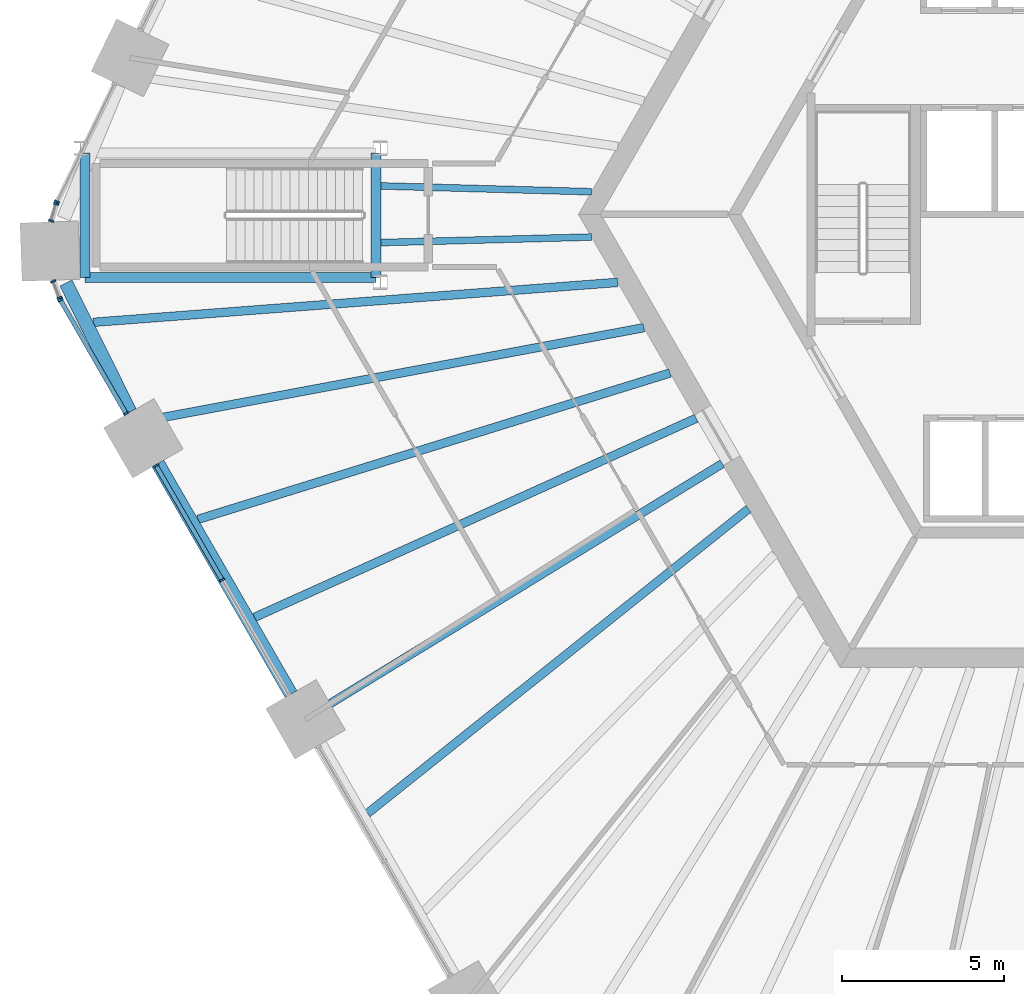
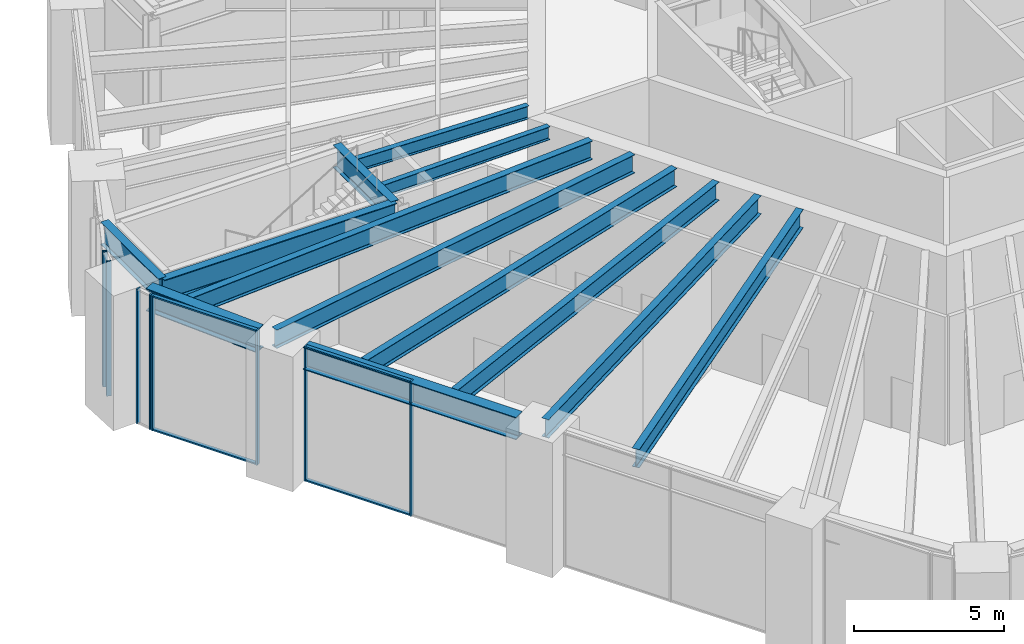
# One storey, part 4 of 30: 13 beams, 13 members, 5 elements without a shape of their own.
"""IFC4 building model written with IfcOpenShell, lengths in metres."""

from ifc_helpers import new_model, si_unit, direction, frame, origin, origin_2d, place, context, subcontext, project, spatial, rectangle, i_section, extrude, material, material_profile, profile_set, type_object, element, aggregate, save


model = new_model("IFC4")

# Units and contexts
model_context = context("Model", 3, precision=1e-05, world=origin(), true_north=direction((0.0, 1.0)))
body_context = subcontext(model_context, "Body", "Model", "MODEL_VIEW")
ifc_project = project(units=[si_unit("LENGTHUNIT", "METRE"), si_unit("AREAUNIT", "SQUARE_METRE"), si_unit("VOLUMEUNIT", "CUBIC_METRE"), si_unit("PLANEANGLEUNIT", "RADIAN"), si_unit("MASSUNIT", "GRAM", prefix="KILO")], contexts=[model_context])

# Site, building, storey
site_placement = place(None, origin())
site = spatial("IfcSite", under=ifc_project, at=site_placement, CompositionType="ELEMENT")
building_placement = place(site_placement, origin())
building = spatial("IfcBuilding", under=site, at=building_placement, Name="Tarnside Tower", CompositionType="ELEMENT")
storey_placement = place(building_placement, frame((0.0, 0.0, 20.5)))
storey = spatial("IfcBuildingStorey", under=building, at=storey_placement, Name="L03", CompositionType="ELEMENT", Elevation=20.5)

# Beams
ifc_material_1 = material(Name="Steel S355", Category="steel")
ifc_material_profile_1 = material_profile(ifc_material_1, i_section(OverallWidth=0.209228515625, OverallDepth=0.533203125, WebThickness=0.010009765625, FlangeThickness=0.015625, FilletRadius=0.0126953125, at=origin_2d()), Name="UB 533x210x92")
ifc_profile_set_1 = profile_set([ifc_material_profile_1], Name="Steel S355")
beam_type_1 = type_object("IfcBeamType", Name="Floor beam UB 533x210x92", PredefinedType="BEAM", material=ifc_profile_set_1)
beam_1_placement = place(storey_placement, frame((-22.272216796875, 0.87890625, 4.9833984375), z_axis=(0.999622442049, -0.027476778416, 0.0), x_axis=(0.027476778416, 0.999622442049, 0.0)))
element("IfcBeam", 1, at=beam_1_placement, inside=storey, type_object=beam_type_1, Name="Floor beam F2.09", PredefinedType="BEAM", context=body_context, shape_type="SweptSolid", body=[
    extrude(i_section(OverallWidth=0.209228515625, OverallDepth=0.533203125, WebThickness=0.010009765625, FlangeThickness=0.015625, FilletRadius=0.0126953125, at=origin_2d()), origin(), (0.0, 0.0, 1.0), 6.512939453125),
])
beam_2_placement = place(storey_placement, frame((-22.272216796875, -0.87109375, 4.9833984375), z_axis=(0.99965467127, 0.026278093695, 0.0), x_axis=(-0.026278093695, 0.99965467127, 0.0)))
element("IfcBeam", 2, at=beam_2_placement, inside=storey, type_object=beam_type_1, Name="Floor beam C2", PredefinedType="BEAM", context=body_context, shape_type="SweptSolid", body=[
    extrude(i_section(OverallWidth=0.209228515625, OverallDepth=0.533203125, WebThickness=0.010009765625, FlangeThickness=0.015625, FilletRadius=0.0126953125, at=origin_2d()), origin(), (0.0, 0.0, 1.0), 6.5126953125),
])
ifc_material_profile_2 = material_profile(ifc_material_1, i_section(OverallWidth=0.26513671875, OverallDepth=0.75390625, WebThickness=0.0126953125, FlangeThickness=0.017578125, FilletRadius=0.0166015625, at=origin_2d()), Name="UB 762x267x147")
ifc_profile_set_2 = profile_set([ifc_material_profile_2], Name="Steel S355")
beam_type_2 = type_object("IfcBeamType", Name="Floor beam UB 762x267x147", PredefinedType="BEAM", material=ifc_profile_set_2)
beam_3_placement = place(storey_placement, frame((-29.635498046875, -6.389892578125, 4.873046875), z_axis=(0.983039284809, 0.183395104955, 0.0), x_axis=(-0.183395104955, 0.983039284809, 0.0)))
element("IfcBeam", 3, at=beam_3_placement, inside=storey, type_object=beam_type_2, Name="Floor beam F3.02", PredefinedType="BEAM", context=body_context, shape_type="SweptSolid", body=[
    extrude(i_section(OverallWidth=0.26513671875, OverallDepth=0.75390625, WebThickness=0.0126953125, FlangeThickness=0.017578125, FilletRadius=0.0166015625, at=origin_2d()), origin(), (0.0, 0.0, 1.0), 15.7578125),
])
beam_4_placement = place(storey_placement, frame((-27.919189453125, -9.422119140625, 4.873046875), z_axis=(0.955125617377, 0.2962010382, 0.0), x_axis=(-0.2962010382, 0.955125617377, 0.0)))
element("IfcBeam", 4, at=beam_4_placement, inside=storey, type_object=beam_type_2, Name="Floor beam F3.03", PredefinedType="BEAM", context=body_context, shape_type="SweptSolid", body=[
    extrude(i_section(OverallWidth=0.26513671875, OverallDepth=0.75390625, WebThickness=0.0126953125, FlangeThickness=0.017578125, FilletRadius=0.0166015625, at=origin_2d()), origin(), (0.0, 0.0, 1.0), 15.267333984375),
])
beam_5_placement = place(storey_placement, frame((-26.171875, -12.44873046875, 4.873046875), z_axis=(0.911691503599, 0.410875409662, 0.0), x_axis=(-0.410875409662, 0.911691503599, 0.0)))
element("IfcBeam", 5, at=beam_5_placement, inside=storey, type_object=beam_type_2, Name="Floor beam F3.04", PredefinedType="BEAM", context=body_context, shape_type="SweptSolid", body=[
    extrude(i_section(OverallWidth=0.26513671875, OverallDepth=0.75390625, WebThickness=0.0126953125, FlangeThickness=0.017578125, FilletRadius=0.0166015625, at=origin_2d()), origin(), (0.0, 0.0, 1.0), 14.96484375),
])
beam_6_placement = place(storey_placement, frame((-24.42431640625, -15.47509765625, 4.873046875), z_axis=(0.852937246249, 0.522013461475, 0.0), x_axis=(-0.522013461475, 0.852937246249, 0.0)))
element("IfcBeam", 6, at=beam_6_placement, inside=storey, type_object=beam_type_2, Name="Floor beam F3.05", PredefinedType="BEAM", context=body_context, shape_type="SweptSolid", body=[
    extrude(i_section(OverallWidth=0.26513671875, OverallDepth=0.75390625, WebThickness=0.0126953125, FlangeThickness=0.017578125, FilletRadius=0.0166015625, at=origin_2d()), origin(), (0.0, 0.0, 1.0), 14.89453125),
])
beam_7_placement = place(storey_placement, frame((-22.677001953125, -18.501708984375, 4.873046875), z_axis=(0.78120872965, 0.62426991015, 0.0), x_axis=(-0.62426991015, 0.78120872965, 0.0)))
element("IfcBeam", 7, at=beam_7_placement, inside=storey, type_object=beam_type_2, Name="Floor beam F3.06", PredefinedType="BEAM", context=body_context, shape_type="SweptSolid", body=[
    extrude(i_section(OverallWidth=0.26513671875, OverallDepth=0.75390625, WebThickness=0.0126953125, FlangeThickness=0.017578125, FilletRadius=0.0166015625, at=origin_2d()), origin(), (0.0, 0.0, 1.0), 15.06005859375),
])
ifc_material_profile_3 = material_profile(ifc_material_1, i_section(OverallWidth=0.2666015625, OverallDepth=0.76220703125, WebThickness=0.014404296875, FlangeThickness=0.021484375, FilletRadius=0.0166015625, at=origin_2d()), Name="UB 762x267x173")
ifc_profile_set_3 = profile_set([ifc_material_profile_3], Name="Steel S355")
beam_type_3 = type_object("IfcBeamType", Name="Floor beam UB 762x267x173", PredefinedType="BEAM", material=ifc_profile_set_3)
beam_8_placement = place(storey_placement, frame((-31.15625, -3.33447265625, 4.868896484375), z_axis=(0.997110688509, 0.075962325269, 0.0), x_axis=(-0.075962325269, 0.997110688509, 0.0)))
element("IfcBeam", 8, at=beam_8_placement, inside=storey, type_object=beam_type_3, Name="Floor beam F3.01", PredefinedType="BEAM", context=body_context, shape_type="SweptSolid", body=[
    extrude(i_section(OverallWidth=0.2666015625, OverallDepth=0.76220703125, WebThickness=0.014404296875, FlangeThickness=0.021484375, FilletRadius=0.0166015625, at=origin_2d()), origin(), (0.0, 0.0, 1.0), 16.249755859375),
])
ifc_material_profile_4 = material_profile(ifc_material_1, i_section(OverallWidth=0.3076171875, OverallDepth=0.926513671875, WebThickness=0.01953125, FlangeThickness=0.031982421875, FilletRadius=0.01904296875, at=origin_2d()), Name="UB 914x305x289")
ifc_profile_set_4 = profile_set([ifc_material_profile_4], Name="Steel S355")
beam_type_4 = type_object("IfcBeamType", Name="Perimeter girder UB 914x305x289", PredefinedType="BEAM", material=ifc_profile_set_4)
for number, where, z_axis, x_axis, name in (
    (9, (-31.40380859375, -1.953857421875, 4.78662109375), (0.0, 1.0, 0.0), (-1.0, 0.0, 0.0), "Perimeter girder T5"),
    (10, (-22.426025390625, 1.90380859375, 4.78662109375), (0.0, -1.0, 0.0), (1.0, 0.0, 0.0), "Perimeter girder T7"),
):
    element("IfcBeam", number, at=place(storey_placement, frame(where, z_axis=z_axis, x_axis=x_axis)), inside=storey, type_object=beam_type_4, Name=name, PredefinedType="BEAM", context=body_context, shape_type="SweptSolid", body=[
        extrude(i_section(OverallWidth=0.3076171875, OverallDepth=0.926513671875, WebThickness=0.01953125, FlangeThickness=0.031982421875, FilletRadius=0.01904296875, at=origin_2d()), origin(), (0.0, 0.0, 1.0), 3.857666015625),
    ])
beam_9_placement = place(storey_placement, frame((-22.426025390625, -1.953857421875, 4.78662109375), z_axis=(-1.0, 0.0, 0.0), x_axis=(0.0, -1.0, 0.0)))
element("IfcBeam", 11, at=beam_9_placement, inside=storey, type_object=beam_type_4, Name="Perimeter girder T8", PredefinedType="BEAM", context=body_context, shape_type="SweptSolid", body=[
    extrude(i_section(OverallWidth=0.3076171875, OverallDepth=0.926513671875, WebThickness=0.01953125, FlangeThickness=0.031982421875, FilletRadius=0.01904296875, at=origin_2d()), origin(), (0.0, 0.0, 1.0), 8.977783203125),
])
ifc_material_2 = material(Name="Steel S460", Category="steel")
ifc_material_profile_5 = material_profile(ifc_material_2, i_section(OverallWidth=0.42041015625, OverallDepth=0.9208984375, WebThickness=0.021484375, FlangeThickness=0.03662109375, FilletRadius=0.024169921875, at=origin_2d()), Name="UB 914x419x388")
ifc_profile_set_5 = profile_set([ifc_material_profile_5], Name="Steel S460")
beam_type_5 = type_object("IfcBeamType", Name="Perimeter girder UB 914x419x388", PredefinedType="BEAM", material=ifc_profile_set_5)
beam_10_placement = place(storey_placement, frame((-31.995849609375, -2.119140625, 4.78955078125), z_axis=(0.44551934757, -0.895272311055, 0.0), x_axis=(0.895272311055, 0.44551934757, 0.0)))
element("IfcBeam", 12, at=beam_10_placement, inside=storey, type_object=beam_type_5, Name="Perimeter girder M08", PredefinedType="BEAM", context=body_context, shape_type="SweptSolid", body=[
    extrude(i_section(OverallWidth=0.42041015625, OverallDepth=0.9208984375, WebThickness=0.021484375, FlangeThickness=0.03662109375, FilletRadius=0.024169921875, at=origin_2d()), origin(), (0.0, 0.0, 1.0), 4.4404296875),
])
beam_11_placement = place(storey_placement, frame((-29.15771484375, -7.697509765625, 4.78955078125), z_axis=(0.500002567197, -0.866023921607, 0.0), x_axis=(0.866023921607, 0.500002567197, 0.0)))
element("IfcBeam", 13, at=beam_11_placement, inside=storey, type_object=beam_type_5, Name="Perimeter girder M09", PredefinedType="BEAM", context=body_context, shape_type="SweptSolid", body=[
    extrude(i_section(OverallWidth=0.42041015625, OverallDepth=0.9208984375, WebThickness=0.021484375, FlangeThickness=0.03662109375, FilletRadius=0.024169921875, at=origin_2d()), origin(), (0.0, 0.0, 1.0), 8.2236328125),
])

# Curtain wall, member
ifc_material_3 = material(Name="Retail shopfront glazing wall", Category="glass")
curtain_wall_type = type_object("IfcCurtainWallType", Name="Retail shopfront glazing wall", PredefinedType="NOTDEFINED", material=ifc_material_3)
curtain_wall_1_placement = place(storey_placement, origin())
curtain_wall_1 = element("IfcCurtainWall", 14, at=curtain_wall_1_placement, inside=storey, type_object=curtain_wall_type, Name="Retail shopfront glazing L03 06.0", PredefinedType="NOTDEFINED")
ifc_material_4 = material(Name="Aluminium alloy 6063", Category="aluminium")
ifc_material_profile_6 = material_profile(ifc_material_4, rectangle(XDim=0.159912109375, YDim=0.06005859375, at=origin_2d()), Name="Retail shopfront glazing mullion 60 x 160")
ifc_profile_set_6 = profile_set([ifc_material_profile_6], Name="Aluminium alloy 6063")
member_type_1 = type_object("IfcMemberType", Name="Retail shopfront glazing mullion 60 x 160", PredefinedType="MULLION", material=ifc_profile_set_6)
member_1_placement = place(storey_placement, frame((-32.27392578125, 0.393310546875, -0.25), z_axis=(0.0, 0.0, 1.0), x_axis=(0.898794046314, -0.438371146758, 0.0)))
member_1 = element("IfcMember", 15, at=member_1_placement, type_object=member_type_1, Name="CW2 mullion 2", PredefinedType="MULLION", context=body_context, shape_type="SweptSolid", body=[
    extrude(rectangle(XDim=0.159912109375, YDim=0.06005859375, at=origin_2d()), origin(), (0.0, 0.0, 1.0), 5.5),
])
aggregate(curtain_wall_1, [member_1])

# Curtain wall, members
curtain_wall_2_placement = place(storey_placement, origin())
curtain_wall_2 = element("IfcCurtainWall", 16, at=curtain_wall_2_placement, inside=storey, type_object=curtain_wall_type, Name="Retail shopfront glazing L03 06.1", PredefinedType="NOTDEFINED")
member_2_placement = place(storey_placement, frame((-32.30029296875, 0.325439453125, -0.25), z_axis=(0.0, 0.0, 1.0), x_axis=(0.957989512749, -0.286803231262, 0.0)))
member_2 = element("IfcMember", 17, at=member_2_placement, type_object=member_type_1, Name="CW2 mullion 1", PredefinedType="MULLION", context=body_context, shape_type="SweptSolid", body=[
    extrude(rectangle(XDim=0.159912109375, YDim=0.06005859375, at=origin_2d()), origin(), (0.0, 0.0, 1.0), 5.5),
])
member_3_placement = place(storey_placement, frame((-32.45751953125, -0.19970703125, -0.25), z_axis=(0.0, 0.0, 1.0), x_axis=(0.957989512749, -0.286803231262, 0.0)))
member_3 = element("IfcMember", 18, at=member_3_placement, type_object=member_type_1, Name="CW2 mullion 2", PredefinedType="MULLION", context=body_context, shape_type="SweptSolid", body=[
    extrude(rectangle(XDim=0.159912109375, YDim=0.06005859375, at=origin_2d()), origin(), (0.0, 0.0, 1.0), 5.5),
])
aggregate(curtain_wall_2, [member_2, member_3])

curtain_wall_3_placement = place(storey_placement, origin())
curtain_wall_3 = element("IfcCurtainWall", 19, at=curtain_wall_3_placement, inside=storey, type_object=curtain_wall_type, Name="Retail shopfront glazing L03 07.0", PredefinedType="NOTDEFINED")
member_4_placement = place(storey_placement, frame((-32.392578125, -2.06494140625, -0.25), z_axis=(0.0, 0.0, 1.0), x_axis=(0.935649516189, 0.352930563788, 0.0)))
member_4 = element("IfcMember", 20, at=member_4_placement, type_object=member_type_1, Name="CW2 mullion 1", PredefinedType="MULLION", context=body_context, shape_type="SweptSolid", body=[
    extrude(rectangle(XDim=0.159912109375, YDim=0.06005859375, at=origin_2d()), origin(), (0.0, 0.0, 1.0), 5.5),
])
member_5_placement = place(storey_placement, frame((-32.198974609375, -2.577880859375, -0.25), z_axis=(0.0, 0.0, 1.0), x_axis=(0.935649516189, 0.352930563788, 0.0)))
member_5 = element("IfcMember", 21, at=member_5_placement, type_object=member_type_1, Name="CW2 mullion 2", PredefinedType="MULLION", context=body_context, shape_type="SweptSolid", body=[
    extrude(rectangle(XDim=0.159912109375, YDim=0.06005859375, at=origin_2d()), origin(), (0.0, 0.0, 1.0), 5.5),
])
aggregate(curtain_wall_3, [member_4, member_5])

curtain_wall_4_placement = place(storey_placement, origin())
curtain_wall_4 = element("IfcCurtainWall", 22, at=curtain_wall_4_placement, inside=storey, type_object=curtain_wall_type, Name="Retail shopfront glazing L03 07.1", PredefinedType="NOTDEFINED")
member_6_placement = place(storey_placement, frame((-32.167724609375, -2.6435546875, -0.25), z_axis=(0.0, 0.0, 1.0), x_axis=(0.866025403767, 0.50000000003, 0.0)))
member_6 = element("IfcMember", 23, at=member_6_placement, type_object=member_type_1, Name="CW2 mullion 1", PredefinedType="MULLION", context=body_context, shape_type="SweptSolid", body=[
    extrude(rectangle(XDim=0.159912109375, YDim=0.06005859375, at=origin_2d()), origin(), (0.0, 0.0, 1.0), 5.5),
])
member_7_placement = place(storey_placement, frame((-30.141845703125, -6.152587890625, -0.25), z_axis=(0.0, 0.0, 1.0), x_axis=(0.866025403767, 0.50000000003, 0.0)))
member_7 = element("IfcMember", 24, at=member_7_placement, type_object=member_type_1, Name="CW2 mullion 2", PredefinedType="MULLION", context=body_context, shape_type="SweptSolid", body=[
    extrude(rectangle(XDim=0.159912109375, YDim=0.06005859375, at=origin_2d()), origin(), (0.0, 0.0, 1.0), 5.5),
])

curtain_wall_5_placement = place(storey_placement, origin())
curtain_wall_5 = element("IfcCurtainWall", 25, at=curtain_wall_5_placement, inside=storey, type_object=curtain_wall_type, Name="Retail shopfront glazing L03 08.0", PredefinedType="NOTDEFINED")
member_8_placement = place(storey_placement, frame((-29.2119140625, -7.763427734375, -0.25), z_axis=(0.0, 0.0, 1.0), x_axis=(0.866025403819, 0.49999999994, 0.0)))
member_8 = element("IfcMember", 26, at=member_8_placement, type_object=member_type_1, Name="CW2 mullion 1", PredefinedType="MULLION", context=body_context, shape_type="SweptSolid", body=[
    extrude(rectangle(XDim=0.159912109375, YDim=0.06005859375, at=origin_2d()), origin(), (0.0, 0.0, 1.0), 5.5),
])
member_9_placement = place(storey_placement, frame((-27.1708984375, -11.29833984375, -0.25), z_axis=(0.0, 0.0, 1.0), x_axis=(0.866025403819, 0.49999999994, 0.0)))
member_9 = element("IfcMember", 27, at=member_9_placement, type_object=member_type_1, Name="CW2 mullion 2", PredefinedType="MULLION", context=body_context, shape_type="SweptSolid", body=[
    extrude(rectangle(XDim=0.159912109375, YDim=0.06005859375, at=origin_2d()), origin(), (0.0, 0.0, 1.0), 5.5),
])

# Member
ifc_material_profile_7 = material_profile(ifc_material_4, rectangle(XDim=0.139892578125, YDim=0.06005859375, at=origin_2d()), Name="Retail shopfront glazing transom 60 x 140")
ifc_profile_set_7 = profile_set([ifc_material_profile_7], Name="Aluminium alloy 6063")
member_type_2 = type_object("IfcMemberType", Name="Retail shopfront glazing transom 60 x 140", PredefinedType="USERDEFINED", material=ifc_profile_set_7)
member_10_placement = place(storey_placement, frame((-32.15283203125, -2.669677734375, -0.219970703125), z_axis=(0.499987164874, -0.866032814021, 0.0), x_axis=(0.866032814021, 0.499987164874, 0.0)))
member_10 = element("IfcMember", 28, at=member_10_placement, type_object=member_type_2, Name="CW2 transom 1.1", ObjectType="TRANSOM", PredefinedType="USERDEFINED", context=body_context, shape_type="SweptSolid", body=[
    extrude(rectangle(XDim=0.139892578125, YDim=0.06005859375, at=origin_2d()), origin(), (0.0, 0.0, 1.0), 3.99169921875),
])

member_11_placement = place(storey_placement, frame((-32.15283203125, -2.669677734375, 5.219970703125), z_axis=(0.499987164874, -0.866032814021, 0.0), x_axis=(0.866032814021, 0.499987164874, 0.0)))
member_11 = element("IfcMember", 29, at=member_11_placement, type_object=member_type_2, Name="CW2 transom 1.2", ObjectType="TRANSOM", PredefinedType="USERDEFINED", context=body_context, shape_type="SweptSolid", body=[
    extrude(rectangle(XDim=0.139892578125, YDim=0.06005859375, at=origin_2d()), origin(), (0.0, 0.0, 1.0), 3.99169921875),
])

aggregate(curtain_wall_4, [member_6, member_7, member_10, member_11])

member_12_placement = place(storey_placement, frame((-29.197021484375, -7.78955078125, -0.219970703125), z_axis=(0.500023722852, -0.866011706956, 0.0), x_axis=(0.866011706956, 0.500023722852, 0.0)))
member_12 = element("IfcMember", 30, at=member_12_placement, type_object=member_type_2, Name="CW2 transom 1.1", ObjectType="TRANSOM", PredefinedType="USERDEFINED", context=body_context, shape_type="SweptSolid", body=[
    extrude(rectangle(XDim=0.139892578125, YDim=0.06005859375, at=origin_2d()), origin(), (0.0, 0.0, 1.0), 4.021728515625),
])

member_13_placement = place(storey_placement, frame((-29.197021484375, -7.78955078125, 5.219970703125), z_axis=(0.500023722852, -0.866011706956, 0.0), x_axis=(0.866011706956, 0.500023722852, 0.0)))
member_13 = element("IfcMember", 31, at=member_13_placement, type_object=member_type_2, Name="CW2 transom 1.2", ObjectType="TRANSOM", PredefinedType="USERDEFINED", context=body_context, shape_type="SweptSolid", body=[
    extrude(rectangle(XDim=0.139892578125, YDim=0.06005859375, at=origin_2d()), origin(), (0.0, 0.0, 1.0), 4.021728515625),
])

aggregate(curtain_wall_5, [member_8, member_9, member_12, member_13])

save(model, "model.ifc")
